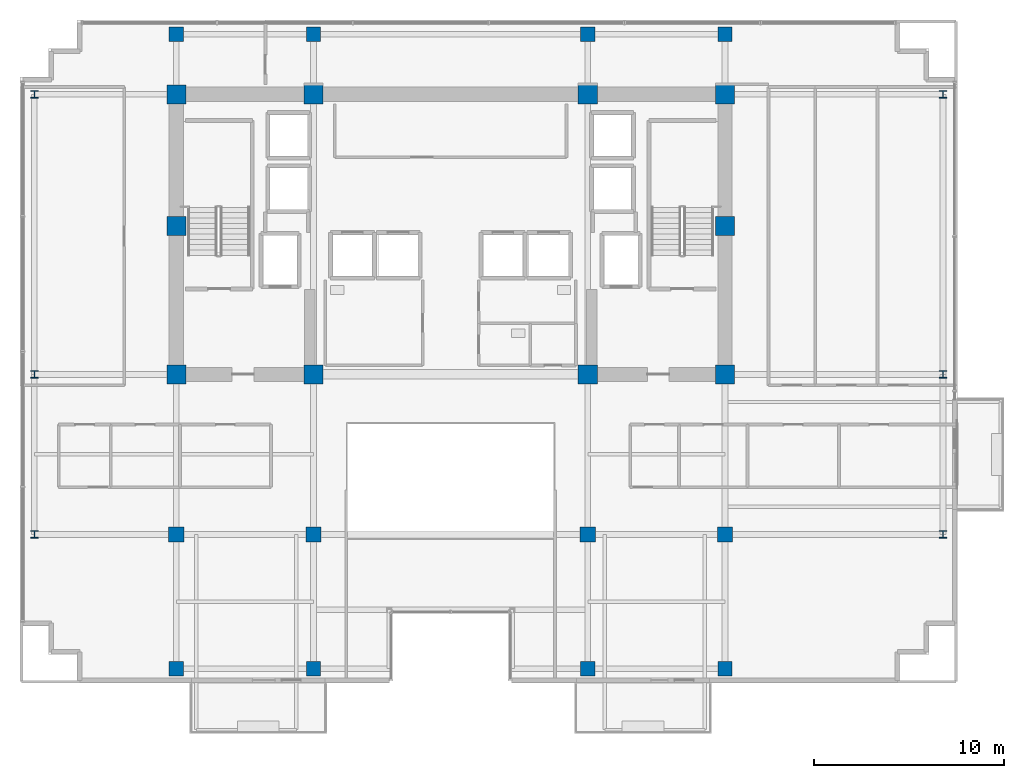
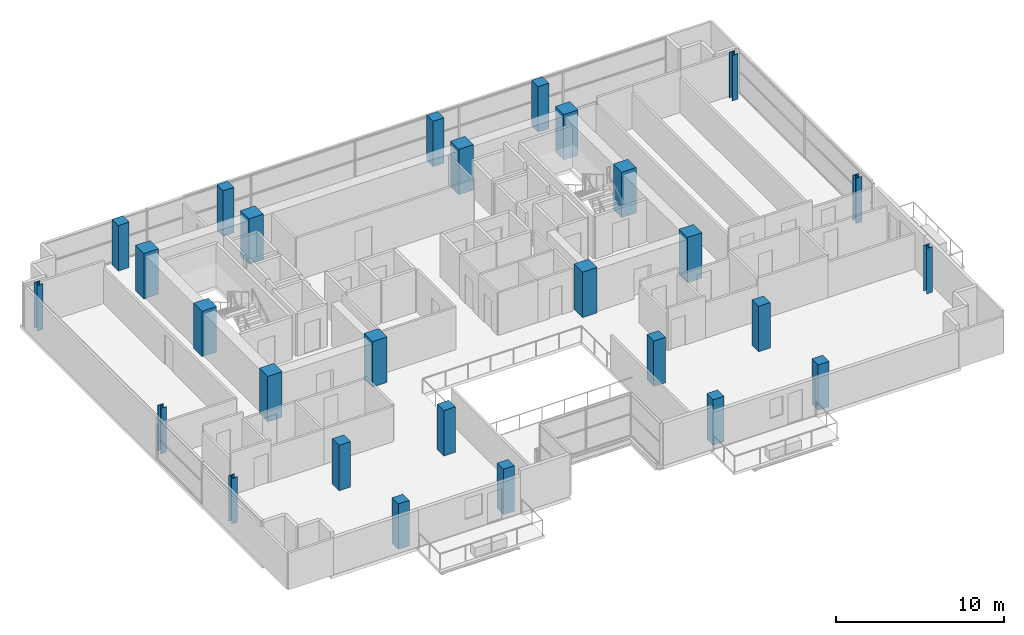
# One storey, part 1 of 21: 28 columns.
"""IFC4 building model written with IfcOpenShell, lengths in metres."""

from ifc_helpers import new_model, si_unit, direction, frame, origin, origin_2d, place, context, subcontext, project, spatial, rectangle, i_section, extrude, material, material_profile, profile_set, type_object, element, save


model = new_model("IFC4")

# Units and contexts
model_context = context("Model", 3, precision=1e-05, world=origin(), true_north=direction((0.0, 1.0)))
body_context = subcontext(model_context, "Body", "Model", "MODEL_VIEW")
ifc_project = project(units=[si_unit("LENGTHUNIT", "METRE"), si_unit("AREAUNIT", "SQUARE_METRE"), si_unit("VOLUMEUNIT", "CUBIC_METRE"), si_unit("PLANEANGLEUNIT", "RADIAN"), si_unit("MASSUNIT", "GRAM", prefix="KILO")], contexts=[model_context])

# Site, building, storey
site_placement = place(None, origin())
site = spatial("IfcSite", under=ifc_project, at=site_placement, CompositionType="ELEMENT")
building_placement = place(site_placement, origin())
building = spatial("IfcBuilding", under=site, at=building_placement, Name="Zarnakvel Exchange Tower", CompositionType="ELEMENT")
storey_placement = place(building_placement, frame((0.0, 0.0, 182.5)))
storey = spatial("IfcBuildingStorey", under=building, at=storey_placement, Name="L51", CompositionType="ELEMENT", Elevation=182.5)

# Columns
ifc_material_1 = material(Name="Concrete C60/75", Category="concrete")
ifc_material_profile_1 = material_profile(ifc_material_1, rectangle(XDim=1.0, YDim=1.0, at=origin_2d()))
ifc_profile_set_1 = profile_set([ifc_material_profile_1], Name="Concrete C60/75")
column_type_1 = type_object("IfcColumnType", Name="CC-02", PredefinedType="COLUMN", material=ifc_profile_set_1)
for number, where, z_axis, x_axis, name in (
    (1, (-14.39990234375, -1.199951171875, 0.0), (0.0, 0.0, 1.0), (1.0, 0.0, 0.0), "L51 Column C-4D (CC-02)"),
    (2, (-7.199951171875, -1.199951171875, 0.0), (0.0, 0.0, 1.0), (1.0, 0.0, 0.0), "L51 Column C-5D (CC-02)"),
    (3, (7.199951171875, -1.199951171875, 0.0), (0.0, 0.0, 1.0), (1.0, 0.0, 0.0), "L51 Column C-8D (CC-02)"),
    (4, (14.39990234375, -1.199951171875, 0.0), (0.0, 0.0, 1.0), (1.0, 0.0, 0.0), "L51 Column C-9D (CC-02)"),
    (5, (-14.39990234375, 6.60009765625, 0.0), (0.0, 0.0, 1.0), (1.0, 0.0, 0.0), "L51 Column C-4E (CC-02)"),
    (6, (14.39990234375, 6.60009765625, 0.0), (0.0, 0.0, 1.0), (1.0, 0.0, 0.0), "L51 Column C-9E (CC-02)"),
    (7, (-14.39990234375, 13.5, 0.0), (0.0, 0.0, 1.0), (1.0, 0.0, 0.0), "L51 Column C-4F (CC-02)"),
    (8, (-7.199951171875, 13.5, 0.0), (0.0, 0.0, 1.0), (1.0, 0.0, 0.0), "L51 Column C-5F (CC-02)"),
    (9, (7.199951171875, 13.5, 0.0), (0.0, 0.0, 1.0), (1.0, 0.0, 0.0), "L51 Column C-8F (CC-02)"),
    (10, (14.39990234375, 13.5, 0.0), (0.0, 0.0, 1.0), (1.0, 0.0, 0.0), "L51 Column C-9F (CC-02)"),
):
    element("IfcColumn", number, at=place(storey_placement, frame(where, z_axis=z_axis, x_axis=x_axis)), inside=storey, type_object=column_type_1, Name=name, PredefinedType="COLUMN", context=body_context, shape_type="SweptSolid", body=[
        extrude(rectangle(XDim=1.0, YDim=1.0, at=origin_2d()), origin(), (0.0, 0.0, 1.0), 3.300048828125),
    ])
ifc_material_2 = material(Name="Steel S355", Category="steel")
ifc_material_profile_2 = material_profile(ifc_material_2, i_section(OverallWidth=0.39892578125, OverallDepth=0.3935546875, WebThickness=0.022705078125, FlangeThickness=0.03662109375, FilletRadius=0.01513671875, at=origin_2d()))
ifc_profile_set_2 = profile_set([ifc_material_profile_2], Name="Steel S355")
column_type_2 = type_object("IfcColumnType", Name="SC-04", PredefinedType="COLUMN", material=ifc_profile_set_2)
for number, where, z_axis, x_axis, name in (
    (11, (-21.85009765625, -9.60009765625, 0.0), (0.0, 0.0, 1.0), (1.0, 0.0, 0.0), "L51 Column TW-C (SC-04)"),
    (12, (25.85009765625, -9.60009765625, 0.0), (0.0, 0.0, 1.0), (1.0, 0.0, 0.0), "L51 Column TE-C (SC-04)"),
    (13, (-21.85009765625, -1.199951171875, 0.0), (0.0, 0.0, 1.0), (1.0, 0.0, 0.0), "L51 Column TW-D (SC-04)"),
    (14, (25.85009765625, -1.199951171875, 0.0), (0.0, 0.0, 1.0), (1.0, 0.0, 0.0), "L51 Column TE-D (SC-04)"),
    (15, (-21.85009765625, 13.5, 0.0), (0.0, 0.0, 1.0), (1.0, 0.0, 0.0), "L51 Column TW-F (SC-04)"),
    (16, (25.85009765625, 13.5, 0.0), (0.0, 0.0, 1.0), (1.0, 0.0, 0.0), "L51 Column TE-F (SC-04)"),
):
    element("IfcColumn", number, at=place(storey_placement, frame(where, z_axis=z_axis, x_axis=x_axis)), inside=storey, type_object=column_type_2, Name=name, PredefinedType="COLUMN", context=body_context, shape_type="SweptSolid", body=[
        extrude(i_section(OverallWidth=0.39892578125, OverallDepth=0.3935546875, WebThickness=0.022705078125, FlangeThickness=0.03662109375, FilletRadius=0.01513671875, at=origin_2d()), origin(), (0.0, 0.0, 1.0), 3.300048828125),
    ])
ifc_material_profile_3 = material_profile(ifc_material_1, rectangle(XDim=0.800048828125, YDim=0.800048828125, at=origin_2d()))
ifc_profile_set_3 = profile_set([ifc_material_profile_3], Name="Concrete C60/75")
column_type_3 = type_object("IfcColumnType", Name="TC-03", PredefinedType="COLUMN", material=ifc_profile_set_3)
for number, where, z_axis, x_axis, name in (
    (17, (-14.39990234375, -9.60009765625, 0.0), (0.0, 0.0, 1.0), (1.0, 0.0, 0.0), "L51 Column T-4C (TC-03)"),
    (18, (-7.199951171875, -9.60009765625, 0.0), (0.0, 0.0, 1.0), (1.0, 0.0, 0.0), "L51 Column T-5C (TC-03)"),
    (19, (7.199951171875, -9.60009765625, 0.0), (0.0, 0.0, 1.0), (1.0, 0.0, 0.0), "L51 Column T-8C (TC-03)"),
    (20, (14.39990234375, -9.60009765625, 0.0), (0.0, 0.0, 1.0), (1.0, 0.0, 0.0), "L51 Column T-9C (TC-03)"),
):
    element("IfcColumn", number, at=place(storey_placement, frame(where, z_axis=z_axis, x_axis=x_axis)), inside=storey, type_object=column_type_3, Name=name, PredefinedType="COLUMN", context=body_context, shape_type="SweptSolid", body=[
        extrude(rectangle(XDim=0.800048828125, YDim=0.800048828125, at=origin_2d()), origin(), (0.0, 0.0, 1.0), 3.300048828125),
    ])
ifc_material_3 = material(Name="Concrete C50/60", Category="concrete")
ifc_material_profile_4 = material_profile(ifc_material_3, rectangle(XDim=0.75, YDim=0.75, at=origin_2d()))
ifc_profile_set_4 = profile_set([ifc_material_profile_4], Name="Concrete C50/60")
column_type_4 = type_object("IfcColumnType", Name="TC-04", PredefinedType="COLUMN", material=ifc_profile_set_4)
for number, where, z_axis, x_axis, name in (
    (21, (-14.39990234375, -16.64990234375, 0.0), (0.0, 0.0, 1.0), (1.0, 0.0, 0.0), "L51 Column TS-4 (TC-04)"),
    (22, (-14.39990234375, 16.64990234375, 0.0), (0.0, 0.0, 1.0), (1.0, 0.0, 0.0), "L51 Column TN-4 (TC-04)"),
    (23, (-7.199951171875, -16.64990234375, 0.0), (0.0, 0.0, 1.0), (1.0, 0.0, 0.0), "L51 Column TS-5 (TC-04)"),
    (24, (-7.199951171875, 16.64990234375, 0.0), (0.0, 0.0, 1.0), (1.0, 0.0, 0.0), "L51 Column TN-5 (TC-04)"),
    (25, (7.199951171875, -16.64990234375, 0.0), (0.0, 0.0, 1.0), (1.0, 0.0, 0.0), "L51 Column TS-8 (TC-04)"),
    (26, (7.199951171875, 16.64990234375, 0.0), (0.0, 0.0, 1.0), (1.0, 0.0, 0.0), "L51 Column TN-8 (TC-04)"),
    (27, (14.39990234375, -16.64990234375, 0.0), (0.0, 0.0, 1.0), (1.0, 0.0, 0.0), "L51 Column TS-9 (TC-04)"),
    (28, (14.39990234375, 16.64990234375, 0.0), (0.0, 0.0, 1.0), (1.0, 0.0, 0.0), "L51 Column TN-9 (TC-04)"),
):
    element("IfcColumn", number, at=place(storey_placement, frame(where, z_axis=z_axis, x_axis=x_axis)), inside=storey, type_object=column_type_4, Name=name, PredefinedType="COLUMN", context=body_context, shape_type="SweptSolid", body=[
        extrude(rectangle(XDim=0.75, YDim=0.75, at=origin_2d()), origin(), (0.0, 0.0, 1.0), 3.300048828125),
    ])

save(model, "model.ifc")
